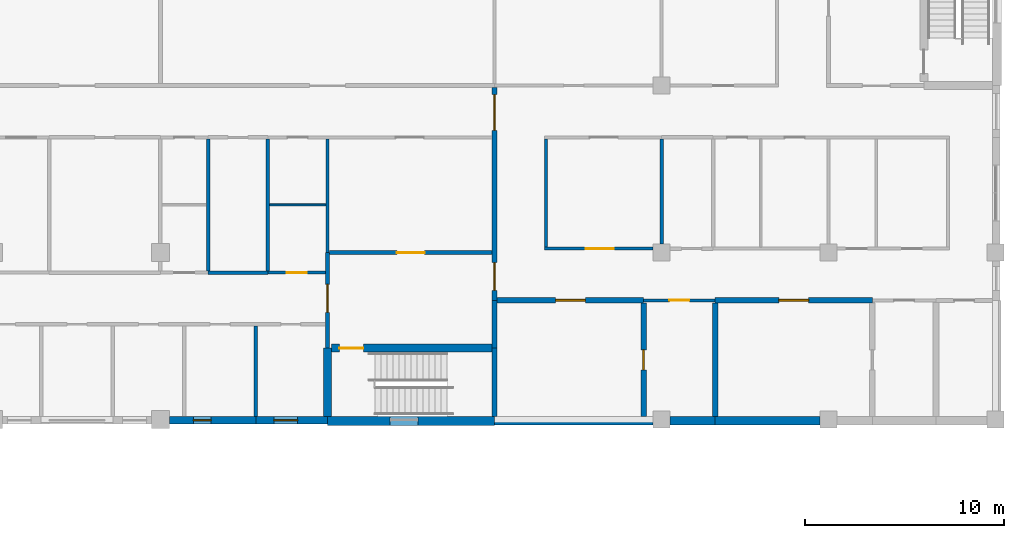
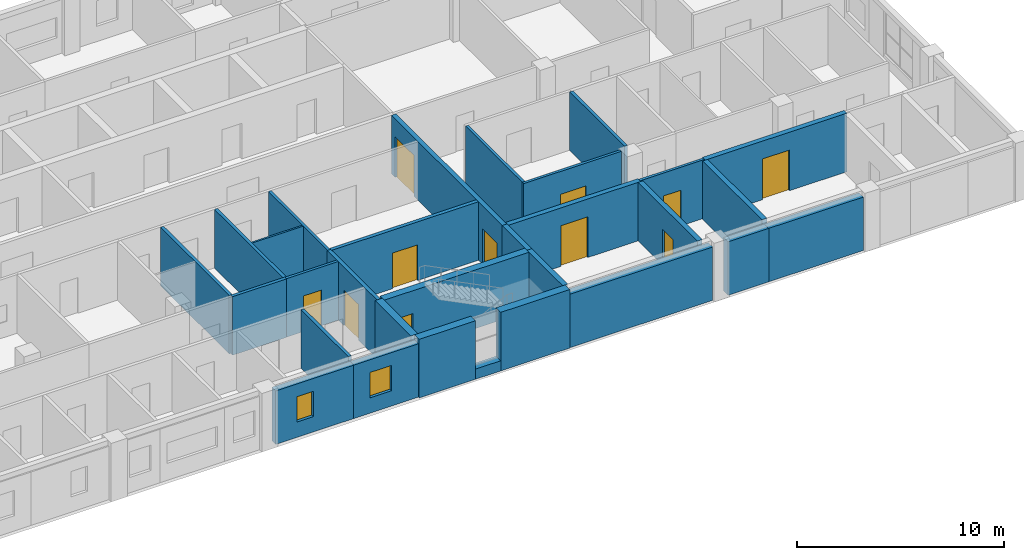
# One storey, part 70 of 94: 30 walls, 11 doors, 2 windows, 13 openings.
"""IFC4 building model written with IfcOpenShell, lengths in metres."""

import ifcopenshell
import ifcopenshell.guid

model = None  # the IFC model being written
_history = None  # IfcOwnerHistory: only IFC2X3 demands one
_inside = {}  # id of a spatial element -> (the spatial element, [elements in it])
_under = {}  # id of a project, library or spatial element -> (it, [spatial elements below it])
_declared = {}  # id of a project -> (the project, [libraries it declares])
_typed = {}  # id of a type object -> (the type object, [elements of that type])
_made_of = {}  # id of a material, layer set ... -> (it, [elements and type objects made of it])


def new_model(schema):
    """Start an empty IFC model of exactly this schema.

    Asked for "IFC4X3", IfcOpenShell would pick the latest addendum, in which some entities
    have other attributes; the version numbers below select the first issue.
    IFC2X3 requires an IfcOwnerHistory on every rooted entity: one is made here for all.
    """
    global model, _history
    if schema == "IFC4X3":
        model = ifcopenshell.file(schema_version=(4, 3, 0, 0))
    else:
        model = ifcopenshell.file(schema=schema)
    _inside.clear()
    _under.clear()
    _declared.clear()
    _typed.clear()
    _made_of.clear()
    _history = None
    if model.schema == "IFC2X3":
        org = make("IfcOrganization", Name="unknown")
        user = make(
            "IfcPersonAndOrganization",
            ThePerson=make("IfcPerson", FamilyName="unknown"),
            TheOrganization=org,
        )
        app = make(
            "IfcApplication",
            ApplicationDeveloper=org,
            Version="unknown",
            ApplicationFullName="unknown",
            ApplicationIdentifier="unknown",
        )
        _history = make(
            "IfcOwnerHistory",
            OwningUser=user,
            OwningApplication=app,
            ChangeAction="ADDED",
            CreationDate=0,
        )
    return model


def make(cls, **values):
    """One entity of the class cls with the attributes given. An attribute that is None is left unset."""
    return model.create_entity(
        cls, **{name: value for name, value in values.items() if value is not None}
    )


def rooted(cls, **values):
    """An entity with a GlobalId (a new one), such as an element, a storey or a relation."""
    return make(cls, GlobalId=ifcopenshell.guid.new(), OwnerHistory=_history, **values)


def si_unit(unit_type, name, prefix=None):
    """IfcSIUnit, for example si_unit("LENGTHUNIT", "METRE", prefix="MILLI")."""
    return make("IfcSIUnit", UnitType=unit_type, Prefix=prefix, Name=name)


def assignment(units):
    """IfcUnitAssignment: the units of a project."""
    return None if units is None else make("IfcUnitAssignment", Units=units)


def point(xyz):
    """IfcCartesianPoint."""
    return None if xyz is None else make("IfcCartesianPoint", Coordinates=xyz)


def direction(xyz):
    """IfcDirection."""
    return None if xyz is None else make("IfcDirection", DirectionRatios=xyz)


def frame(location, z_axis=None, x_axis=None):
    """IfcAxis2Placement3D, a coordinate frame: its origin and axes. An axis left out is left unset."""
    return make(
        "IfcAxis2Placement3D",
        Location=point(location),
        Axis=direction(z_axis),
        RefDirection=direction(x_axis),
    )


def frame_2d(location, x_axis=None):
    """IfcAxis2Placement2D, a coordinate frame in the plane: its origin and x axis."""
    return make(
        "IfcAxis2Placement2D", Location=point(location), RefDirection=direction(x_axis)
    )


def origin():
    """The frame at (0, 0, 0) with its axes left unset."""
    return frame((0.0, 0.0, 0.0))


def place(relative_to, where):
    """IfcLocalPlacement: puts the frame where relative to a parent placement (None: the world)."""
    return make(
        "IfcLocalPlacement", PlacementRelTo=relative_to, RelativePlacement=where
    )


def context(
    kind, dimensions, precision=None, world=None, true_north=None, identifier=None
):
    """IfcGeometricRepresentationContext, for example the 3D "Model" context."""
    return make(
        "IfcGeometricRepresentationContext",
        ContextIdentifier=identifier,
        ContextType=kind,
        CoordinateSpaceDimension=dimensions,
        Precision=precision,
        WorldCoordinateSystem=world,
        TrueNorth=true_north,
    )


def subcontext(parent, identifier, kind, view, scale=None):
    """IfcGeometricRepresentationSubContext, for example "Body" below "Model"."""
    return make(
        "IfcGeometricRepresentationSubContext",
        ContextIdentifier=identifier,
        ContextType=kind,
        ParentContext=parent,
        TargetScale=scale,
        TargetView=view,
    )


def project(units=None, contexts=None):
    """IfcProject with its units and contexts."""
    return rooted(
        "IfcProject",
        Name="project",
        RepresentationContexts=contexts,
        UnitsInContext=assignment(units),
    )


def spatial(cls, under=None, at=None, **own):
    """A site, building, storey or space (cls), placed at a placement, below another one or the project."""
    s = rooted(cls, ObjectPlacement=at, **own)
    if under is not None:
        _under.setdefault(under.id(), (under, []))[1].append(s)
    return s


def profile(cls, at=None, kind="AREA", **sizes):
    """A parametric profile (cls). Its sizes go by their IFC names, for example OverallWidth=200.0."""
    return make(cls, ProfileType=kind, Position=at, **sizes)


def rectangle(**sizes):
    """IfcRectangleProfileDef."""
    return profile("IfcRectangleProfileDef", **sizes)


def extrude(swept, where, along, depth):
    """IfcExtrudedAreaSolid: the profile swept, set in the frame where, extruded along a direction by depth."""
    return make(
        "IfcExtrudedAreaSolid",
        SweptArea=swept,
        Position=where,
        ExtrudedDirection=direction(along),
        Depth=depth,
    )


def shape(context_of_items, identifier, shape_type, items):
    """IfcShapeRepresentation: the items that make up one representation, for example the "Body"."""
    return make(
        "IfcShapeRepresentation",
        ContextOfItems=context_of_items,
        RepresentationIdentifier=identifier,
        RepresentationType=shape_type,
        Items=items,
    )


def material(Name=None, Category=None):
    """IfcMaterial."""
    return make("IfcMaterial", Name=Name, Category=Category)


def layer(
    of_material, thickness, ventilated=None, Name=None, Category=None, Priority=None
):
    """IfcMaterialLayer: one layer of a wall or slab, of a material (None: an air gap)."""
    return make(
        "IfcMaterialLayer",
        Material=of_material,
        LayerThickness=thickness,
        IsVentilated=ventilated,
        Name=Name,
        Category=Category,
        Priority=Priority,
    )


def layer_set(layers, Name=None):
    """IfcMaterialLayerSet."""
    return make("IfcMaterialLayerSet", MaterialLayers=layers, LayerSetName=Name)


def made_of(thing, what):
    """Note that an element or type object is made of a material, layer set ...; save() writes the relation."""
    if what is not None:
        _made_of.setdefault(what.id(), (what, []))[1].append(thing)
    return thing


def type_object(cls, material=None, **own):
    """A type object (cls), such as IfcWallType, which elements share."""
    return made_of(rooted(cls, **own), material)


def element(
    cls,
    number,
    at=None,
    inside=None,
    cuts=None,
    type_object=None,
    material=None,
    context=None,
    identifier="Body",
    shape_type=None,
    held_by="IfcProductDefinitionShape",
    body=None,
    shapes=None,
    **own,
):
    """One element of the class cls, such as IfcWall. Its Tag is "e" and its number.

    at: its placement. inside: the storey or other place that contains it. cuts: it is an
    opening in that element (IfcRelVoidsElement). A single representation is given by context,
    identifier, shape_type and body (its items); several are given by shapes. held_by: the class
    of the entity that holds the representations. save() writes the other relations.
    """
    e = rooted(cls, Tag="e%d" % number, ObjectPlacement=at, **own)
    if body is not None:
        shapes = [shape(context, identifier, shape_type, body)]
    if shapes is not None:
        e.Representation = make(held_by, Representations=shapes)
    if inside is not None:
        _inside.setdefault(inside.id(), (inside, []))[1].append(e)
    if cuts is not None:
        rooted(
            "IfcRelVoidsElement", RelatingBuildingElement=cuts, RelatedOpeningElement=e
        )
    if type_object is not None:
        _typed.setdefault(type_object.id(), (type_object, []))[1].append(e)
    return made_of(e, material)


def fill(opening, filler):
    """IfcRelFillsElement: the door or window that sits in an opening."""
    return rooted(
        "IfcRelFillsElement",
        RelatingOpeningElement=opening,
        RelatedBuildingElement=filler,
    )


def aggregate(whole, parts):
    """IfcRelAggregates: a whole, such as a stair, and the parts it consists of."""
    return rooted("IfcRelAggregates", RelatingObject=whole, RelatedObjects=parts)


def save(model, path):
    """Write the relations noted so far, then the file.

    IfcRelAggregates (storeys below a building ...), IfcRelContainedInSpatialStructure (elements
    in a storey), IfcRelDefinesByType, IfcRelAssociatesMaterial and IfcRelDeclares: one each for
    every whole, place, type object, material and project.
    """
    for whole, parts in _under.values():
        aggregate(whole, parts)
    for where, things in _inside.values():
        rooted(
            "IfcRelContainedInSpatialStructure",
            RelatedElements=things,
            RelatingStructure=where,
        )
    for kind, things in _typed.values():
        rooted("IfcRelDefinesByType", RelatedObjects=things, RelatingType=kind)
    for what, things in _made_of.values():
        rooted("IfcRelAssociatesMaterial", RelatedObjects=things, RelatingMaterial=what)
    for by, libraries in _declared.values():
        rooted("IfcRelDeclares", RelatingContext=by, RelatedDefinitions=libraries)
    model.write(path)


model = new_model("IFC4")

# Units and contexts
model_context = context("Model", 3, precision=1e-05, world=origin(), true_north=direction((0.0, 1.0)))
body_context = subcontext(model_context, "Body", "Model", "MODEL_VIEW")
ifc_project = project(units=[si_unit("LENGTHUNIT", "METRE"), si_unit("AREAUNIT", "SQUARE_METRE"), si_unit("VOLUMEUNIT", "CUBIC_METRE"), si_unit("PLANEANGLEUNIT", "RADIAN"), si_unit("MASSUNIT", "GRAM", prefix="KILO")], contexts=[model_context])

# Site, building, storey
site_placement = place(None, origin())
site = spatial("IfcSite", under=ifc_project, at=site_placement, CompositionType="ELEMENT")
building_placement = place(site_placement, origin())
building = spatial("IfcBuilding", under=site, at=building_placement, Name="Yavir Park General Hospital", CompositionType="ELEMENT")
storey_placement = place(building_placement, frame((0.0, 0.0, 4.5)))
storey = spatial("IfcBuildingStorey", under=building, at=storey_placement, Name="L01", CompositionType="ELEMENT", Elevation=4.5)

# Walls
ifc_material_1 = material(Name="Double-leaf gypsum board acoustic partition on staggered studs")
ifc_layer_1 = layer(ifc_material_1, 0.175048828125)
ifc_layer_set_1 = layer_set([ifc_layer_1], Name="Double-leaf gypsum board acoustic partition on staggered studs")
wall_type_1 = type_object("IfcWallType", Name="Acoustic partition 175", PredefinedType="PARTITIONING", material=ifc_layer_set_1)
wall_1_placement = place(storey_placement, frame((128.39990234375, 7.39990234375, 0.0), z_axis=(0.0, 0.0, 1.0), x_axis=(1.0, 0.0, 0.0)))
element("IfcWall", 1, at=wall_1_placement, inside=storey, type_object=wall_type_1, Name="AP175 L01-027", PredefinedType="PARTITIONING", context=body_context, shape_type="SweptSolid", body=[
    extrude(rectangle(XDim=3.0, YDim=0.175048828125, at=frame_2d((1.5, 0.0))), origin(), (0.0, 0.0, 1.0), 3.449951171875),
])
wall_2_placement = place(storey_placement, frame((128.39990234375, 7.487548828125, 0.0), z_axis=(0.0, 0.0, 1.0), x_axis=(0.0, 1.0, 0.0)))
element("IfcWall", 2, at=wall_2_placement, inside=storey, type_object=wall_type_1, Name="AP175 L01-441", PredefinedType="PARTITIONING", context=body_context, shape_type="SweptSolid", body=[
    extrude(rectangle(XDim=6.625, YDim=0.175048828125, at=frame_2d((3.3125, 0.0))), origin(), (0.0, 0.0, 1.0), 3.449951171875),
])
wall_3_placement = place(storey_placement, frame((130.800048828125, 0.14990234375, 0.0), z_axis=(0.0, 0.0, 1.0), x_axis=(0.0, 1.0, 0.0)))
element("IfcWall", 3, at=wall_3_placement, inside=storey, type_object=wall_type_1, Name="AP175 L01-444", PredefinedType="PARTITIONING", context=body_context, shape_type="SweptSolid", body=[
    extrude(rectangle(XDim=4.5625, YDim=0.175048828125, at=frame_2d((2.28125, 0.0))), origin(), (0.0, 0.0, 1.0), 3.449951171875),
])
wall_4_placement = place(storey_placement, frame((131.39990234375, 7.487548828125, 0.0), z_axis=(0.0, 0.0, 1.0), x_axis=(0.0, 1.0, 0.0)))
element("IfcWall", 4, at=wall_4_placement, inside=storey, type_object=wall_type_1, Name="AP175 L01-445", PredefinedType="PARTITIONING", context=body_context, shape_type="SweptSolid", body=[
    extrude(rectangle(XDim=6.625, YDim=0.175048828125, at=frame_2d((3.3125, 0.0))), origin(), (0.0, 0.0, 1.0), 3.449951171875),
])
wall_5_placement = place(storey_placement, frame((151.199951171875, 8.824951171875, 0.0), z_axis=(0.0, 0.0, 1.0), x_axis=(0.0, 1.0, 0.0)))
element("IfcWall", 5, at=wall_5_placement, inside=storey, type_object=wall_type_1, Name="AP175 L01-471", PredefinedType="PARTITIONING", context=body_context, shape_type="SweptSolid", body=[
    extrude(rectangle(XDim=5.28759765625, YDim=0.175048828125, at=frame_2d((2.643798828125, 0.0))), origin(), (0.0, 0.0, 1.0), 3.449951171875),
])

# Wall, openings, doors
ifc_material_2 = material(Name="Concrete C30/37", Category="concrete")
ifc_layer_2 = layer(ifc_material_2, 0.25)
ifc_layer_set_2 = layer_set([ifc_layer_2], Name="Concrete C30/37")
wall_type_2 = type_object("IfcWallType", Name="Compartment fire wall 250, REI 150", PredefinedType="SOLIDWALL", material=ifc_layer_set_2)
wall_6_placement = place(storey_placement, frame((142.800048828125, 6.0, 0.0), z_axis=(0.0, 0.0, 1.0), x_axis=(0.0, 1.0, 0.0)))
wall_6 = element("IfcWall", 6, at=wall_6_placement, inside=storey, type_object=wall_type_2, Name="FW25 L01-454", PredefinedType="SOLIDWALL", context=body_context, shape_type="SweptSolid", body=[
    extrude(rectangle(XDim=10.699951171875, YDim=0.25, at=frame_2d((5.35009765625, 0.0))), origin(), (0.0, 0.0, 1.0), 3.449951171875),
])
opening_1_placement = place(wall_6_placement, frame((0.5, 0.0, 0.0)))
opening_1 = element("IfcOpeningElement", 7, at=opening_1_placement, cuts=wall_6, Name="Opening L01.D244", PredefinedType="OPENING", context=body_context, shape_type="SweptSolid", body=[
    extrude(rectangle(XDim=1.39990234375, YDim=2.10009765625, at=frame_2d((0.699951171875, 1.050048828125))), frame((0.0, 0.135009765625, 0.0), z_axis=(0.0, -1.0, 0.0), x_axis=(1.0, 0.0, 0.0)), (0.0, 0.0, 1.0), 0.27001953125),
])
opening_2_placement = place(wall_6_placement, frame((8.550048828125, 0.0, 0.0)))
opening_2 = element("IfcOpeningElement", 8, at=opening_2_placement, cuts=wall_6, Name="Opening L01.D245", PredefinedType="OPENING", context=body_context, shape_type="SweptSolid", body=[
    extrude(rectangle(XDim=1.800048828125, YDim=2.39990234375, at=frame_2d((0.89990234375, 1.199951171875))), frame((0.0, 0.135009765625, 0.0), z_axis=(0.0, -1.0, 0.0), x_axis=(1.0, 0.0, 0.0)), (0.0, 0.0, 1.0), 0.27001953125),
])
ifc_material_3 = material(Name="Steel frame, fire-resisting leaves with vision panels", Category="steel")
door_type_1 = type_object("IfcDoorType", Name="Double fire door with vision panels 1400 x 2100, EI 60", OperationType="DOUBLE_DOOR_SINGLE_SWING", PredefinedType="DOOR", material=ifc_material_3)
door_1_placement = place(opening_1_placement, origin())
door_1 = element("IfcDoor", 9, at=door_1_placement, inside=storey, type_object=door_type_1, Name="L01.D244", OperationType="SINGLE_SWING_LEFT", OverallHeight=2.10009765625, OverallWidth=1.39990234375, PredefinedType="DOOR", context=body_context, shape_type="SweptSolid", body=[
    extrude(rectangle(XDim=1.39990234375, YDim=2.10009765625, at=frame_2d((0.699951171875, 1.050048828125))), frame((0.0, 0.030029296875, 0.0), z_axis=(0.0, -1.0, 0.0), x_axis=(1.0, 0.0, 0.0)), (0.0, 0.0, 1.0), 0.06005859375),
])
fill(opening_1, door_1)
ifc_material_4 = material(Name="Steel frame, fire-resisting leaves with vision panels", Category="steel")
door_type_2 = type_object("IfcDoorType", Name="Double fire door with vision panels 1800 x 2400, EI 60", OperationType="DOUBLE_DOOR_SINGLE_SWING", PredefinedType="DOOR", material=ifc_material_4)
door_2_placement = place(opening_2_placement, origin())
door_2 = element("IfcDoor", 10, at=door_2_placement, inside=storey, type_object=door_type_2, Name="L01.D245", OperationType="SINGLE_SWING_RIGHT", OverallHeight=2.39990234375, OverallWidth=1.800048828125, PredefinedType="DOOR", context=body_context, shape_type="SweptSolid", body=[
    extrude(rectangle(XDim=1.800048828125, YDim=2.39990234375, at=frame_2d((0.89990234375, 1.199951171875))), frame((0.0, 0.030029296875, 0.0), z_axis=(0.0, -1.0, 0.0), x_axis=(1.0, 0.0, 0.0)), (0.0, 0.0, 1.0), 0.06005859375),
])
fill(opening_2, door_2)

# Wall, opening, door
ifc_material_5 = material(Name="Double gypsum board fire partition on steel studs", Category="steel")
ifc_layer_3 = layer(ifc_material_5, 0.199951171875)
ifc_layer_set_3 = layer_set([ifc_layer_3], Name="Double gypsum board fire partition on steel studs")
wall_type_3 = type_object("IfcWallType", Name="Fire-rated partition 200, EI 60", PredefinedType="PARTITIONING", material=ifc_layer_set_3)
wall_7_placement = place(storey_placement, frame((134.5, 8.39990234375, 0.0), z_axis=(0.0, 0.0, 1.0), x_axis=(1.0, 0.0, 0.0)))
wall_7 = element("IfcWall", 11, at=wall_7_placement, inside=storey, type_object=wall_type_3, Name="FP20 L01-032", PredefinedType="PARTITIONING", context=body_context, shape_type="SweptSolid", body=[
    extrude(rectangle(XDim=8.175048828125, YDim=0.199951171875, at=frame_2d((4.08740234375, 0.0))), origin(), (0.0, 0.0, 1.0), 3.449951171875),
])
opening_3_placement = place(wall_7_placement, frame((3.387451171875, 0.0, 0.0)))
opening_3 = element("IfcOpeningElement", 12, at=opening_3_placement, cuts=wall_7, Name="Opening L01.D048", PredefinedType="OPENING", context=body_context, shape_type="SweptSolid", body=[
    extrude(rectangle(XDim=1.39990234375, YDim=2.10009765625, at=frame_2d((0.699951171875, 1.050048828125))), frame((0.0, 0.10986328125, 0.0), z_axis=(0.0, -1.0, 0.0), x_axis=(1.0, 0.0, 0.0)), (0.0, 0.0, 1.0), 0.219970703125),
])
ifc_material_6 = material(Name="Steel frame, fire-resisting timber leaves", Category="steel")
door_type_3 = type_object("IfcDoorType", Name="Double fire door 1400 x 2100, EI 60", OperationType="DOUBLE_DOOR_SINGLE_SWING", PredefinedType="DOOR", material=ifc_material_6)
door_3_placement = place(opening_3_placement, origin())
door_3 = element("IfcDoor", 13, at=door_3_placement, inside=storey, type_object=door_type_3, Name="L01.D048", OperationType="SINGLE_SWING_LEFT", OverallHeight=2.10009765625, OverallWidth=1.39990234375, PredefinedType="DOOR", context=body_context, shape_type="SweptSolid", body=[
    extrude(rectangle(XDim=1.39990234375, YDim=2.10009765625, at=frame_2d((0.699951171875, 1.050048828125))), frame((0.0, 0.02490234375, 0.0), z_axis=(0.0, -1.0, 0.0), x_axis=(1.0, 0.0, 0.0)), (0.0, 0.0, 1.0), 0.050048828125),
])
fill(opening_3, door_3)

wall_8_placement = place(storey_placement, frame((134.39990234375, 3.60009765625, 0.0), z_axis=(0.0, 0.0, 1.0), x_axis=(0.0, 1.0, 0.0)))
wall_8 = element("IfcWall", 14, at=wall_8_placement, inside=storey, type_object=wall_type_3, Name="FP20 L01-447", PredefinedType="PARTITIONING", context=body_context, shape_type="SweptSolid", body=[
    extrude(rectangle(XDim=4.7998046875, YDim=0.199951171875, at=frame_2d((2.39990234375, 0.0))), origin(), (0.0, 0.0, 1.0), 3.449951171875),
])
opening_4_placement = place(wall_8_placement, frame((1.800048828125, 0.0, 0.0)))
opening_4 = element("IfcOpeningElement", 15, at=opening_4_placement, cuts=wall_8, Name="Opening L01.D243", PredefinedType="OPENING", context=body_context, shape_type="SweptSolid", body=[
    extrude(rectangle(XDim=1.39990234375, YDim=2.10009765625, at=frame_2d((0.699951171875, 1.050048828125))), frame((0.0, 0.10986328125, 0.0), z_axis=(0.0, -1.0, 0.0), x_axis=(1.0, 0.0, 0.0)), (0.0, 0.0, 1.0), 0.219970703125),
])
door_4_placement = place(opening_4_placement, origin())
door_4 = element("IfcDoor", 16, at=door_4_placement, inside=storey, type_object=door_type_1, Name="L01.D243", OperationType="SINGLE_SWING_RIGHT", OverallHeight=2.10009765625, OverallWidth=1.39990234375, PredefinedType="DOOR", context=body_context, shape_type="SweptSolid", body=[
    extrude(rectangle(XDim=1.39990234375, YDim=2.10009765625, at=frame_2d((0.699951171875, 1.050048828125))), frame((0.0, 0.030029296875, 0.0), z_axis=(0.0, -1.0, 0.0), x_axis=(1.0, 0.0, 0.0)), (0.0, 0.0, 1.0), 0.06005859375),
])
fill(opening_4, door_4)

# Wall
ifc_material_7 = material(Name="Gypsum board partition on steel studs", Category="steel")
ifc_layer_4 = layer(ifc_material_7, 0.10009765625)
ifc_layer_set_4 = layer_set([ifc_layer_4], Name="Gypsum board partition on steel studs")
wall_type_4 = type_object("IfcWallType", Name="Gypsum board partition 100", PredefinedType="PARTITIONING", material=ifc_layer_set_4)
wall_9_placement = place(storey_placement, frame((131.487548828125, 10.800048828125, 0.0), z_axis=(0.0, 0.0, 1.0), x_axis=(1.0, 0.0, 0.0)))
element("IfcWall", 17, at=wall_9_placement, inside=storey, type_object=wall_type_4, Name="P10 L01-044", PredefinedType="PARTITIONING", context=body_context, shape_type="SweptSolid", body=[
    extrude(rectangle(XDim=2.83740234375, YDim=0.10009765625, at=frame_2d((1.418701171875, 0.0))), origin(), (0.0, 0.0, 1.0), 3.449951171875),
])

# Wall, opening, door
ifc_material_8 = material(Name="Gypsum board partition on steel studs", Category="steel")
ifc_layer_5 = layer(ifc_material_8, 0.14990234375)
ifc_layer_set_5 = layer_set([ifc_layer_5], Name="Gypsum board partition on steel studs")
wall_type_5 = type_object("IfcWallType", Name="Gypsum board partition 150", PredefinedType="PARTITIONING", material=ifc_layer_set_5)
wall_10_placement = place(storey_placement, frame((150.300048828125, 6.0, 0.0), z_axis=(0.0, 0.0, 1.0), x_axis=(1.0, 0.0, 0.0)))
wall_10 = element("IfcWall", 18, at=wall_10_placement, inside=storey, type_object=wall_type_5, Name="P15 L01-011", PredefinedType="PARTITIONING", context=body_context, shape_type="SweptSolid", body=[
    extrude(rectangle(XDim=3.599853515625, YDim=0.14990234375, at=frame_2d((1.7998046875, 0.0))), origin(), (0.0, 0.0, 1.0), 3.449951171875),
])
opening_5_placement = place(wall_10_placement, frame((1.300048828125, 0.0, 0.0)))
opening_5 = element("IfcOpeningElement", 19, at=opening_5_placement, cuts=wall_10, Name="Opening L01.D032", PredefinedType="OPENING", context=body_context, shape_type="SweptSolid", body=[
    extrude(rectangle(XDim=1.0, YDim=2.10009765625, at=frame_2d((0.5, 1.050048828125))), frame((0.0, 0.0849609375, 0.0), z_axis=(0.0, -1.0, 0.0), x_axis=(1.0, 0.0, 0.0)), (0.0, 0.0, 1.0), 0.169921875),
])
ifc_material_9 = material(Name="Hollow metal frame, solid-core timber leaf", Category="wood")
door_type_4 = type_object("IfcDoorType", Name="Single swing door 1000 x 2100", OperationType="SINGLE_SWING_LEFT", PredefinedType="DOOR", material=ifc_material_9)
door_5_placement = place(opening_5_placement, origin())
door_5 = element("IfcDoor", 20, at=door_5_placement, inside=storey, type_object=door_type_4, Name="L01.D032", OperationType="SINGLE_SWING_LEFT", OverallHeight=2.10009765625, OverallWidth=1.0, PredefinedType="DOOR", context=body_context, shape_type="SweptSolid", body=[
    extrude(rectangle(XDim=1.0, YDim=2.10009765625, at=frame_2d((0.5, 1.050048828125))), frame((0.0, 0.02490234375, 0.0), z_axis=(0.0, -1.0, 0.0), x_axis=(1.0, 0.0, 0.0)), (0.0, 0.0, 1.0), 0.050048828125),
])
fill(opening_5, door_5)

wall_11_placement = place(storey_placement, frame((131.39990234375, 7.39990234375, 0.0), z_axis=(0.0, 0.0, 1.0), x_axis=(1.0, 0.0, 0.0)))
wall_11 = element("IfcWall", 21, at=wall_11_placement, inside=storey, type_object=wall_type_5, Name="P15 L01-028", PredefinedType="PARTITIONING", context=body_context, shape_type="SweptSolid", body=[
    extrude(rectangle(XDim=2.900146484375, YDim=0.14990234375, at=frame_2d((1.4501953125, 0.0))), origin(), (0.0, 0.0, 1.0), 3.449951171875),
])
opening_6_placement = place(wall_11_placement, frame((0.949951171875, 0.0, 0.0)))
opening_6 = element("IfcOpeningElement", 22, at=opening_6_placement, cuts=wall_11, Name="Opening L01.D044", PredefinedType="OPENING", context=body_context, shape_type="SweptSolid", body=[
    extrude(rectangle(XDim=1.0, YDim=2.10009765625, at=frame_2d((0.5, 1.050048828125))), frame((0.0, 0.0849609375, 0.0), z_axis=(0.0, -1.0, 0.0), x_axis=(1.0, 0.0, 0.0)), (0.0, 0.0, 1.0), 0.169921875),
])
door_6_placement = place(opening_6_placement, origin())
door_6 = element("IfcDoor", 23, at=door_6_placement, inside=storey, type_object=door_type_4, Name="L01.D044", OperationType="SINGLE_SWING_RIGHT", OverallHeight=2.10009765625, OverallWidth=1.0, PredefinedType="DOOR", context=body_context, shape_type="SweptSolid", body=[
    extrude(rectangle(XDim=1.0, YDim=2.10009765625, at=frame_2d((0.5, 1.050048828125))), frame((0.0, 0.02490234375, 0.0), z_axis=(0.0, -1.0, 0.0), x_axis=(1.0, 0.0, 0.0)), (0.0, 0.0, 1.0), 0.050048828125),
])
fill(opening_6, door_6)

wall_12_placement = place(storey_placement, frame((145.324951171875, 8.60009765625, 0.0), z_axis=(0.0, 0.0, 1.0), x_axis=(1.0, 0.0, 0.0)))
wall_12 = element("IfcWall", 24, at=wall_12_placement, inside=storey, type_object=wall_type_5, Name="P15 L01-037", PredefinedType="PARTITIONING", context=body_context, shape_type="SweptSolid", body=[
    extrude(rectangle(XDim=5.449951171875, YDim=0.14990234375, at=frame_2d((2.72509765625, 0.0))), origin(), (0.0, 0.0, 1.0), 3.449951171875),
])
opening_7_placement = place(wall_12_placement, frame((2.0625, 0.0, 0.0)))
opening_7 = element("IfcOpeningElement", 25, at=opening_7_placement, cuts=wall_12, Name="Opening L01.D054", PredefinedType="OPENING", context=body_context, shape_type="SweptSolid", body=[
    extrude(rectangle(XDim=1.39990234375, YDim=2.10009765625, at=frame_2d((0.699951171875, 1.050048828125))), frame((0.0, 0.0849609375, 0.0), z_axis=(0.0, -1.0, 0.0), x_axis=(1.0, 0.0, 0.0)), (0.0, 0.0, 1.0), 0.169921875),
])
ifc_material_10 = material(Name="Hollow metal frame, solid-core timber leaf", Category="wood")
door_type_5 = type_object("IfcDoorType", Name="Double swing door 1400 x 2100", OperationType="DOUBLE_DOOR_SINGLE_SWING", PredefinedType="DOOR", material=ifc_material_10)
door_7_placement = place(opening_7_placement, origin())
door_7 = element("IfcDoor", 26, at=door_7_placement, inside=storey, type_object=door_type_5, Name="L01.D054", OperationType="SINGLE_SWING_RIGHT", OverallHeight=2.10009765625, OverallWidth=1.39990234375, PredefinedType="DOOR", context=body_context, shape_type="SweptSolid", body=[
    extrude(rectangle(XDim=1.39990234375, YDim=2.10009765625, at=frame_2d((0.699951171875, 1.050048828125))), frame((0.0, 0.02490234375, 0.0), z_axis=(0.0, -1.0, 0.0), x_axis=(1.0, 0.0, 0.0)), (0.0, 0.0, 1.0), 0.050048828125),
])
fill(opening_7, door_7)

# Walls
wall_13_placement = place(storey_placement, frame((134.39990234375, 8.39990234375, 0.0), z_axis=(0.0, 0.0, 1.0), x_axis=(0.0, 1.0, 0.0)))
element("IfcWall", 27, at=wall_13_placement, inside=storey, type_object=wall_type_5, Name="P15 L01-448", PredefinedType="PARTITIONING", context=body_context, shape_type="SweptSolid", body=[
    extrude(rectangle(XDim=5.72509765625, YDim=0.14990234375, at=frame_2d((2.862548828125, 0.0))), origin(), (0.0, 0.0, 1.0), 3.449951171875),
])
wall_14_placement = place(storey_placement, frame((145.39990234375, 8.675048828125, 0.0), z_axis=(0.0, 0.0, 1.0), x_axis=(0.0, 1.0, 0.0)))
element("IfcWall", 28, at=wall_14_placement, inside=storey, type_object=wall_type_5, Name="P15 L01-459", PredefinedType="PARTITIONING", context=body_context, shape_type="SweptSolid", body=[
    extrude(rectangle(XDim=5.449951171875, YDim=0.14990234375, at=frame_2d((2.72509765625, 0.0))), origin(), (0.0, 0.0, 1.0), 3.449951171875),
])
ifc_material_11 = material(Name="Concrete C30/37 precast panel with 3 mm lead sheet lining and mineral wool insulation", Category="concrete")
ifc_layer_6 = layer(ifc_material_11, 0.425048828125)
ifc_layer_set_6 = layer_set([ifc_layer_6], Name="Concrete C30/37 precast panel with 3 mm lead sheet lining and mineral wool insulation")
wall_type_6 = type_object("IfcWallType", Name="Lead-lined imaging room wall 425, E 30", PredefinedType="SOLIDWALL", material=ifc_layer_set_6)
wall_15_placement = place(storey_placement, frame((142.800048828125, -0.0625, 0.0), z_axis=(0.0, 0.0, 1.0), x_axis=(1.0, 0.0, 0.0)))
element("IfcWall", 29, at=wall_15_placement, inside=storey, type_object=wall_type_6, Name="XW8 L01-045", PredefinedType="SOLIDWALL", context=body_context, shape_type="SweptSolid", body=[
    extrude(rectangle(XDim=7.974853515625, YDim=0.425048828125, at=frame_2d((3.9873046875, 0.0))), origin(), (0.0, 0.0, 1.0), 3.14990234375),
])
wall_16_placement = place(storey_placement, frame((151.625, -0.0625, 0.0), z_axis=(0.0, 0.0, 1.0), x_axis=(1.0, 0.0, 0.0)))
element("IfcWall", 30, at=wall_16_placement, inside=storey, type_object=wall_type_6, Name="XW8 L01-047", PredefinedType="SOLIDWALL", context=body_context, shape_type="SweptSolid", body=[
    extrude(rectangle(XDim=2.27490234375, YDim=0.425048828125, at=frame_2d((1.137451171875, 0.0))), origin(), (0.0, 0.0, 1.0), 3.14990234375),
])
wall_17_placement = place(storey_placement, frame((153.89990234375, -0.0625, 0.0), z_axis=(0.0, 0.0, 1.0), x_axis=(1.0, 0.0, 0.0)))
element("IfcWall", 31, at=wall_17_placement, inside=storey, type_object=wall_type_6, Name="XW8 L01-048", PredefinedType="SOLIDWALL", context=body_context, shape_type="SweptSolid", body=[
    extrude(rectangle(XDim=5.275146484375, YDim=0.425048828125, at=frame_2d((2.6376953125, 0.0))), origin(), (0.0, 0.0, 1.0), 3.14990234375),
])

# Wall, opening, door
ifc_material_12 = material(Name="Lead-lined block wall, 3 mm lead sheet, RF-sealed")
ifc_layer_7 = layer(ifc_material_12, 0.27490234375)
ifc_layer_set_7 = layer_set([ifc_layer_7], Name="Lead-lined block wall, 3 mm lead sheet, RF-sealed")
wall_type_7 = type_object("IfcWallType", Name="Lead-lined shielding wall 275, EI 60", PredefinedType="SOLIDWALL", material=ifc_layer_set_7)
wall_18_placement = place(storey_placement, frame((142.9375, 6.0, 0.0), z_axis=(0.0, 0.0, 1.0), x_axis=(1.0, 0.0, 0.0)))
wall_18 = element("IfcWall", 32, at=wall_18_placement, inside=storey, type_object=wall_type_7, Name="LC275 L01-010", PredefinedType="SOLIDWALL", context=body_context, shape_type="SweptSolid", body=[
    extrude(rectangle(XDim=7.362548828125, YDim=0.27490234375, at=frame_2d((3.68115234375, 0.0))), origin(), (0.0, 0.0, 1.0), 3.449951171875),
])
opening_8_placement = place(wall_18_placement, frame((2.93115234375, 0.0, 0.0)))
opening_8 = element("IfcOpeningElement", 33, at=opening_8_placement, cuts=wall_18, Name="Opening L01.D031", PredefinedType="OPENING", context=body_context, shape_type="SweptSolid", body=[
    extrude(rectangle(XDim=1.5, YDim=2.39990234375, at=frame_2d((0.75, 1.199951171875))), frame((0.0, 0.1474609375, 0.0), z_axis=(0.0, -1.0, 0.0), x_axis=(1.0, 0.0, 0.0)), (0.0, 0.0, 1.0), 0.294921875),
])
ifc_material_13 = material(Name="Lead-lined steel leaves, 3 mm lead, RF-sealed frame", Category="steel")
door_type_6 = type_object("IfcDoorType", Name="Lead-lined scanner room door 1500 x 2400, EI 60", OperationType="DOUBLE_DOOR_SINGLE_SWING", PredefinedType="DOOR", material=ifc_material_13)
door_8_placement = place(opening_8_placement, origin())
door_8 = element("IfcDoor", 34, at=door_8_placement, inside=storey, type_object=door_type_6, Name="L01.D031", OperationType="SINGLE_SWING_RIGHT", OverallHeight=2.39990234375, OverallWidth=1.5, PredefinedType="DOOR", context=body_context, shape_type="SweptSolid", body=[
    extrude(rectangle(XDim=1.5, YDim=2.39990234375, at=frame_2d((0.75, 1.199951171875))), frame((0.0, 0.044921875, 0.0), z_axis=(0.0, -1.0, 0.0), x_axis=(1.0, 0.0, 0.0)), (0.0, 0.0, 1.0), 0.090087890625),
])
fill(opening_8, door_8)

wall_19_placement = place(storey_placement, frame((153.89990234375, 6.0, 0.0), z_axis=(0.0, 0.0, 1.0), x_axis=(1.0, 0.0, 0.0)))
wall_19 = element("IfcWall", 35, at=wall_19_placement, inside=storey, type_object=wall_type_7, Name="LC275 L01-012", PredefinedType="SOLIDWALL", context=body_context, shape_type="SweptSolid", body=[
    extrude(rectangle(XDim=7.900146484375, YDim=0.27490234375, at=frame_2d((3.9501953125, 0.0))), origin(), (0.0, 0.0, 1.0), 3.449951171875),
])
opening_9_placement = place(wall_19_placement, frame((3.199951171875, 0.0, 0.0)))
opening_9 = element("IfcOpeningElement", 36, at=opening_9_placement, cuts=wall_19, Name="Opening L01.D033", PredefinedType="OPENING", context=body_context, shape_type="SweptSolid", body=[
    extrude(rectangle(XDim=1.5, YDim=2.39990234375, at=frame_2d((0.75, 1.199951171875))), frame((0.0, 0.1474609375, 0.0), z_axis=(0.0, -1.0, 0.0), x_axis=(1.0, 0.0, 0.0)), (0.0, 0.0, 1.0), 0.294921875),
])
door_9_placement = place(opening_9_placement, origin())
door_9 = element("IfcDoor", 37, at=door_9_placement, inside=storey, type_object=door_type_6, Name="L01.D033", OperationType="SINGLE_SWING_RIGHT", OverallHeight=2.39990234375, OverallWidth=1.5, PredefinedType="DOOR", context=body_context, shape_type="SweptSolid", body=[
    extrude(rectangle(XDim=1.5, YDim=2.39990234375, at=frame_2d((0.75, 1.199951171875))), frame((0.0, 0.044921875, 0.0), z_axis=(0.0, -1.0, 0.0), x_axis=(1.0, 0.0, 0.0)), (0.0, 0.0, 1.0), 0.090087890625),
])
fill(opening_9, door_9)

# Wall
wall_20_placement = place(storey_placement, frame((142.800048828125, 3.60009765625, 0.0), z_axis=(0.0, 0.0, 1.0), x_axis=(0.0, 1.0, 0.0)))
element("IfcWall", 38, at=wall_20_placement, inside=storey, type_object=wall_type_7, Name="LC275 L01-453", PredefinedType="SOLIDWALL", context=body_context, shape_type="SweptSolid", body=[
    extrude(rectangle(XDim=2.39990234375, YDim=0.27490234375, at=frame_2d((1.199951171875, 0.0))), origin(), (0.0, 0.0, 1.0), 3.449951171875),
])

# Wall, opening, door
wall_21_placement = place(storey_placement, frame((150.300048828125, 0.14990234375, 0.0), z_axis=(0.0, 0.0, 1.0), x_axis=(0.0, 1.0, 0.0)))
wall_21 = element("IfcWall", 39, at=wall_21_placement, inside=storey, type_object=wall_type_7, Name="LC275 L01-470", PredefinedType="SOLIDWALL", context=body_context, shape_type="SweptSolid", body=[
    extrude(rectangle(XDim=5.712646484375, YDim=0.27490234375, at=frame_2d((2.8564453125, 0.0))), origin(), (0.0, 0.0, 1.0), 3.449951171875),
])
opening_10_placement = place(wall_21_placement, frame((2.356201171875, 0.0, 0.0)))
opening_10 = element("IfcOpeningElement", 40, at=opening_10_placement, cuts=wall_21, Name="Opening L01.D262", PredefinedType="OPENING", context=body_context, shape_type="SweptSolid", body=[
    extrude(rectangle(XDim=1.0, YDim=2.10009765625, at=frame_2d((0.5, 1.050048828125))), frame((0.0, 0.1474609375, 0.0), z_axis=(0.0, -1.0, 0.0), x_axis=(1.0, 0.0, 0.0)), (0.0, 0.0, 1.0), 0.294921875),
])
ifc_material_14 = material(Name="Lead-lined steel door leaf, 2.5 mm lead", Category="steel")
door_type_7 = type_object("IfcDoorType", Name="Lead-lined door 1000 x 2100, EI 60", OperationType="SINGLE_SWING_LEFT", PredefinedType="DOOR", material=ifc_material_14)
door_10_placement = place(opening_10_placement, origin())
door_10 = element("IfcDoor", 41, at=door_10_placement, inside=storey, type_object=door_type_7, Name="L01.D262", OperationType="SINGLE_SWING_LEFT", OverallHeight=2.10009765625, OverallWidth=1.0, PredefinedType="DOOR", context=body_context, shape_type="SweptSolid", body=[
    extrude(rectangle(XDim=1.0, YDim=2.10009765625, at=frame_2d((0.5, 1.050048828125))), frame((0.0, 0.0400390625, 0.0), z_axis=(0.0, -1.0, 0.0), x_axis=(1.0, 0.0, 0.0)), (0.0, 0.0, 1.0), 0.080078125),
])
fill(opening_10, door_10)

# Walls
wall_22_placement = place(storey_placement, frame((153.89990234375, 0.14990234375, 0.0), z_axis=(0.0, 0.0, 1.0), x_axis=(0.0, 1.0, 0.0)))
element("IfcWall", 42, at=wall_22_placement, inside=storey, type_object=wall_type_7, Name="LC275 L01-484", PredefinedType="SOLIDWALL", context=body_context, shape_type="SweptSolid", body=[
    extrude(rectangle(XDim=5.712646484375, YDim=0.27490234375, at=frame_2d((2.8564453125, 0.0))), origin(), (0.0, 0.0, 1.0), 3.449951171875),
])
ifc_material_15 = material(Name="Lead-lined block wall, 3 mm lead sheet, RF-sealed")
ifc_layer_8 = layer(ifc_material_15, 0.27490234375)
ifc_layer_set_8 = layer_set([ifc_layer_8], Name="Lead-lined block wall, 3 mm lead sheet, RF-sealed")
wall_type_8 = type_object("IfcWallType", Name="Lead-lined shielding wall 275, REI 150", PredefinedType="SOLIDWALL", material=ifc_layer_set_8)
wall_23_placement = place(storey_placement, frame((142.800048828125, 0.14990234375, 0.0), z_axis=(0.0, 0.0, 1.0), x_axis=(0.0, 1.0, 0.0)))
element("IfcWall", 43, at=wall_23_placement, inside=storey, type_object=wall_type_8, Name="LC275 L01-452", PredefinedType="SOLIDWALL", context=body_context, shape_type="SweptSolid", body=[
    extrude(rectangle(XDim=3.4501953125, YDim=0.27490234375, at=frame_2d((1.72509765625, 0.0))), origin(), (0.0, 0.0, 1.0), 3.449951171875),
])

# Wall, opening, window
ifc_material_16 = material(Name="Autoclaved aerated block, 150 mm mineral wool and sand-coloured mineral render")
ifc_layer_9 = layer(ifc_material_16, 0.375)
ifc_layer_set_9 = layer_set([ifc_layer_9], Name="Autoclaved aerated block, 150 mm mineral wool and sand-coloured mineral render")
wall_type_9 = type_object("IfcWallType", Name="Mineral render clinical wall 375, E 30", PredefinedType="SOLIDWALL", material=ifc_layer_set_9)
wall_24_placement = place(storey_placement, frame((126.449951171875, -0.03759765625, 0.0), z_axis=(0.0, 0.0, 1.0), x_axis=(1.0, 0.0, 0.0)))
wall_24 = element("IfcWall", 44, at=wall_24_placement, inside=storey, type_object=wall_type_9, Name="XW1 L01-040", PredefinedType="SOLIDWALL", context=body_context, shape_type="SweptSolid", body=[
    extrude(rectangle(XDim=4.35009765625, YDim=0.375, at=frame_2d((2.175048828125, 0.0))), origin(), (0.0, 0.0, 1.0), 3.14990234375),
])
opening_11_placement = place(wall_24_placement, frame((1.199951171875, 0.0, 0.89990234375)))
opening_11 = element("IfcOpeningElement", 45, at=opening_11_placement, cuts=wall_24, Name="Opening WH", PredefinedType="OPENING", context=body_context, shape_type="SweptSolid", body=[
    extrude(rectangle(XDim=0.89990234375, YDim=1.5, at=frame_2d((0.449951171875, 0.75))), frame((0.0, 0.197509765625, 0.0), z_axis=(0.0, -1.0, 0.0), x_axis=(1.0, 0.0, 0.0)), (0.0, 0.0, 1.0), 0.39501953125),
])
ifc_material_17 = material(Name="Aluminium frame, double glazed unit", Category="aluminium")
window_type_1 = type_object("IfcWindowType", Name="Narrow window 900 x 1500", PartitioningType="SINGLE_PANEL", PredefinedType="WINDOW", material=ifc_material_17)
window_1_placement = place(opening_11_placement, origin())
window_1 = element("IfcWindow", 46, at=window_1_placement, inside=storey, type_object=window_type_1, Name="WH L01-026", OverallHeight=1.5, OverallWidth=0.89990234375, PartitioningType="SINGLE_PANEL", PredefinedType="WINDOW", context=body_context, shape_type="SweptSolid", body=[
    extrude(rectangle(XDim=0.89990234375, YDim=1.5, at=frame_2d((0.449951171875, 0.75))), frame((0.0, 0.030029296875, 0.0), z_axis=(0.0, -1.0, 0.0), x_axis=(1.0, 0.0, 0.0)), (0.0, 0.0, 1.0), 0.06005859375),
])
fill(opening_11, window_1)

wall_25_placement = place(storey_placement, frame((130.800048828125, -0.03759765625, 0.0), z_axis=(0.0, 0.0, 1.0), x_axis=(1.0, 0.0, 0.0)))
wall_25 = element("IfcWall", 47, at=wall_25_placement, inside=storey, type_object=wall_type_9, Name="XW1 L01-041", PredefinedType="SOLIDWALL", context=body_context, shape_type="SweptSolid", body=[
    extrude(rectangle(XDim=3.599853515625, YDim=0.375, at=frame_2d((1.7998046875, 0.0))), origin(), (0.0, 0.0, 1.0), 3.14990234375),
])
opening_12_placement = place(wall_25_placement, frame((0.89990234375, 0.0, 0.89990234375)))
opening_12 = element("IfcOpeningElement", 48, at=opening_12_placement, cuts=wall_25, Name="Opening WD", PredefinedType="OPENING", context=body_context, shape_type="SweptSolid", body=[
    extrude(rectangle(XDim=1.199951171875, YDim=1.5, at=frame_2d((0.60009765625, 0.75))), frame((0.0, 0.197509765625, 0.0), z_axis=(0.0, -1.0, 0.0), x_axis=(1.0, 0.0, 0.0)), (0.0, 0.0, 1.0), 0.39501953125),
])
ifc_material_18 = material(Name="Aluminium frame, double glazed unit", Category="aluminium")
window_type_2 = type_object("IfcWindowType", Name="Office window 1200 x 1500", PartitioningType="SINGLE_PANEL", PredefinedType="WINDOW", material=ifc_material_18)
window_2_placement = place(opening_12_placement, origin())
window_2 = element("IfcWindow", 49, at=window_2_placement, inside=storey, type_object=window_type_2, Name="WD L01-027", OverallHeight=1.5, OverallWidth=1.199951171875, PartitioningType="SINGLE_PANEL", PredefinedType="WINDOW", context=body_context, shape_type="SweptSolid", body=[
    extrude(rectangle(XDim=1.199951171875, YDim=1.5, at=frame_2d((0.60009765625, 0.75))), frame((0.0, 0.030029296875, 0.0), z_axis=(0.0, -1.0, 0.0), x_axis=(1.0, 0.0, 0.0)), (0.0, 0.0, 1.0), 0.06005859375),
])
fill(opening_12, window_2)

# Wall, opening, door
ifc_material_19 = material(Name="Concrete C35/45", Category="concrete")
ifc_layer_10 = layer(ifc_material_19, 0.39990234375)
ifc_layer_set_10 = layer_set([ifc_layer_10], Name="Concrete C35/45")
wall_type_10 = type_object("IfcWallType", Name="Reinforced concrete core wall 400, REI 150", PredefinedType="SHEAR", material=ifc_layer_set_10)
wall_26_placement = place(storey_placement, frame((134.60009765625, 3.60009765625, 0.0), z_axis=(0.0, 0.0, 1.0), x_axis=(1.0, 0.0, 0.0)))
wall_26 = element("IfcWall", 50, at=wall_26_placement, inside=storey, type_object=wall_type_10, Name="CW40 L01-004", PredefinedType="SHEAR", context=body_context, shape_type="SweptSolid", body=[
    extrude(rectangle(XDim=8.0625, YDim=0.39990234375, at=frame_2d((4.03125, 0.0))), origin(), (0.0, 0.0, 1.0), 3.449951171875),
])
opening_13_placement = place(wall_26_placement, frame((0.39990234375, 0.0, 0.0)))
opening_13 = element("IfcOpeningElement", 51, at=opening_13_placement, cuts=wall_26, Name="Opening L01.D004", PredefinedType="OPENING", context=body_context, shape_type="SweptSolid", body=[
    extrude(rectangle(XDim=1.199951171875, YDim=2.10009765625, at=frame_2d((0.60009765625, 1.050048828125))), frame((0.0, 0.2099609375, 0.0), z_axis=(0.0, -1.0, 0.0), x_axis=(1.0, 0.0, 0.0)), (0.0, 0.0, 1.0), 0.419921875),
])
ifc_material_20 = material(Name="Steel frame, fire-resisting timber leaf", Category="steel")
door_type_8 = type_object("IfcDoorType", Name="Fire door 1200 x 2100, EI 60", OperationType="SINGLE_SWING_LEFT", PredefinedType="DOOR", material=ifc_material_20)
door_11_placement = place(opening_13_placement, origin())
door_11 = element("IfcDoor", 52, at=door_11_placement, inside=storey, type_object=door_type_8, Name="L01.D004", OperationType="SINGLE_SWING_LEFT", OverallHeight=2.10009765625, OverallWidth=1.199951171875, PredefinedType="DOOR", context=body_context, shape_type="SweptSolid", body=[
    extrude(rectangle(XDim=1.199951171875, YDim=2.10009765625, at=frame_2d((0.60009765625, 1.050048828125))), frame((0.0, 0.02490234375, 0.0), z_axis=(0.0, -1.0, 0.0), x_axis=(1.0, 0.0, 0.0)), (0.0, 0.0, 1.0), 0.050048828125),
])
fill(opening_13, door_11)

# Walls
wall_27_placement = place(storey_placement, frame((134.39990234375, 0.14990234375, 0.0), z_axis=(0.0, 0.0, 1.0), x_axis=(0.0, 1.0, 0.0)))
element("IfcWall", 53, at=wall_27_placement, inside=storey, type_object=wall_type_10, Name="CW40 L01-446", PredefinedType="SHEAR", context=body_context, shape_type="SweptSolid", body=[
    extrude(rectangle(XDim=3.4501953125, YDim=0.39990234375, at=frame_2d((1.72509765625, 0.0))), origin(), (0.0, 0.0, 1.0), 3.449951171875),
])
ifc_material_21 = material(Name="Concrete C30/37 precast panel with 150 mm mineral wool insulation", Category="concrete")
ifc_layer_11 = layer(ifc_material_21, 0.449951171875)
ifc_layer_set_11 = layer_set([ifc_layer_11], Name="Concrete C30/37 precast panel with 150 mm mineral wool insulation")
wall_type_11 = type_object("IfcWallType", Name="Stair enclosure wall 450, REI 150", PredefinedType="SOLIDWALL", material=ifc_layer_set_11)
wall_28_placement = place(storey_placement, frame((134.39990234375, -0.074951171875, 0.0), z_axis=(0.0, 0.0, 1.0), x_axis=(1.0, 0.0, 0.0)))
element("IfcWall", 54, at=wall_28_placement, inside=storey, type_object=wall_type_11, Name="XW6 L01-042", PredefinedType="SOLIDWALL", context=body_context, shape_type="SweptSolid", body=[
    extrude(rectangle(XDim=3.150146484375, YDim=0.449951171875, at=frame_2d((1.5751953125, 0.0))), origin(), (0.0, 0.0, 1.0), 3.449951171875),
])
wall_29_placement = place(storey_placement, frame((138.949951171875, -0.074951171875, 0.0), z_axis=(0.0, 0.0, 1.0), x_axis=(1.0, 0.0, 0.0)))
element("IfcWall", 55, at=wall_29_placement, inside=storey, type_object=wall_type_11, Name="XW6 L01-043", PredefinedType="SOLIDWALL", context=body_context, shape_type="SweptSolid", body=[
    extrude(rectangle(XDim=3.85009765625, YDim=0.449951171875, at=frame_2d((1.925048828125, 0.0))), origin(), (0.0, 0.0, 1.0), 3.449951171875),
])
wall_30_placement = place(storey_placement, frame((137.550048828125, -0.074951171875, 0.0), z_axis=(0.0, 0.0, 1.0), x_axis=(1.0, 0.0, 0.0)))
element("IfcWall", 56, at=wall_30_placement, inside=storey, type_object=wall_type_11, Name="XW6 L01-044", PredefinedType="SOLIDWALL", context=body_context, shape_type="SweptSolid", body=[
    extrude(rectangle(XDim=1.39990234375, YDim=0.449951171875, at=frame_2d((0.699951171875, 0.0))), origin(), (0.0, 0.0, 1.0), 0.60009765625),
])

save(model, "model.ifc")
